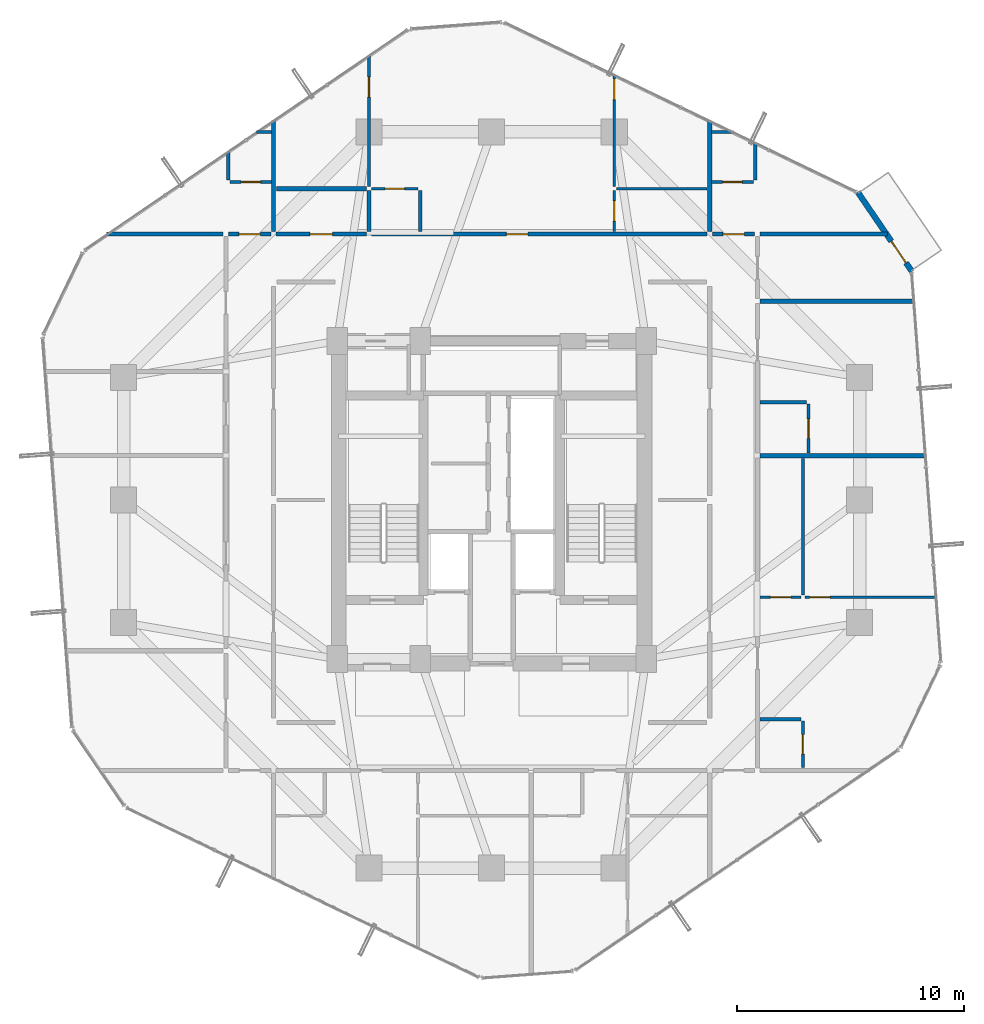
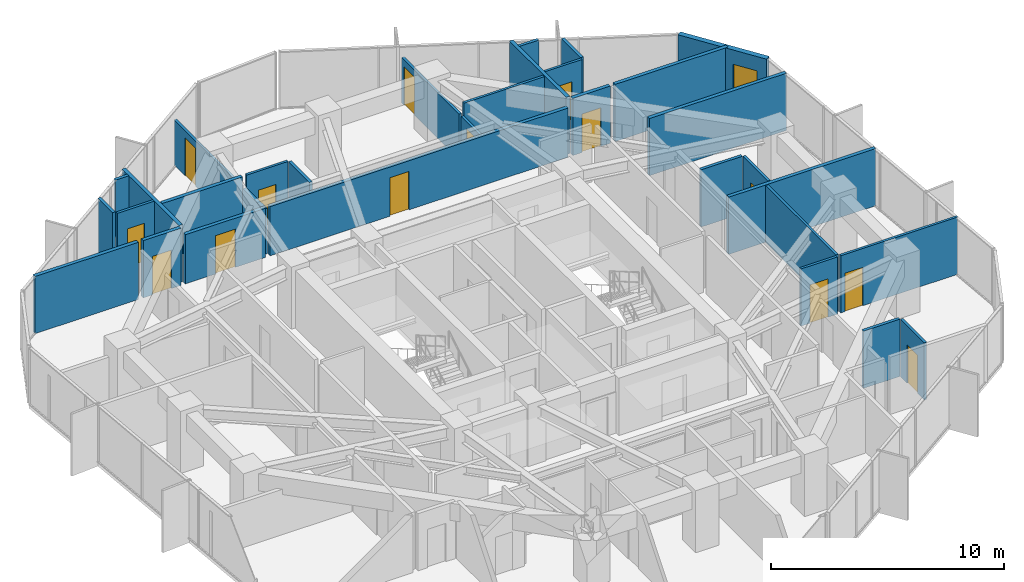
# One storey, part 32 of 35: 32 walls, 15 doors, 15 openings.
"""IFC4 building model written with IfcOpenShell, lengths in metres."""

from ifc_helpers import new_model, si_unit, direction, frame, frame_2d, origin, place, context, subcontext, project, spatial, rectangle, extrude, source, transform, mapped, material, layer, layer_set, type_object, element, fill, save


model = new_model("IFC4")

# Units and contexts
model_context = context("Model", 3, precision=1e-05, world=origin(), true_north=direction((0.0, 1.0)))
body_context = subcontext(model_context, "Body", "Model", "MODEL_VIEW")
ifc_project = project(units=[si_unit("LENGTHUNIT", "METRE"), si_unit("AREAUNIT", "SQUARE_METRE"), si_unit("VOLUMEUNIT", "CUBIC_METRE"), si_unit("PLANEANGLEUNIT", "RADIAN"), si_unit("MASSUNIT", "GRAM", prefix="KILO")], contexts=[model_context])

# Site, building, storey
site_placement = place(None, origin())
site = spatial("IfcSite", under=ifc_project, at=site_placement, CompositionType="ELEMENT")
building_placement = place(site_placement, origin())
building = spatial("IfcBuilding", under=site, at=building_placement, Name="Veraguas Prism Commons", CompositionType="ELEMENT")
storey_placement = place(building_placement, frame((0.0, 0.0, 142.5)))
storey = spatial("IfcBuildingStorey", under=building, at=storey_placement, Name="L40", CompositionType="ELEMENT", Elevation=142.5)

# Walls
ifc_material_1 = material(Name="Autoclaved aerated masonry block 10 MPa", Category="masonry")
ifc_layer_1 = layer(ifc_material_1, 0.179931640625, Name="Corridor and Inter-Tenancy Partition 180", Category="masonry")
ifc_layer_set_1 = layer_set([ifc_layer_1], Name="Autoclaved aerated masonry block 10 MPa")
wall_type_1 = type_object("IfcWallType", Name="Corridor and Inter-Tenancy Partition 180", PredefinedType="PARTITIONING", material=ifc_layer_set_1)
wall_1_placement = place(storey_placement, frame((14.39990234375, 35.820068359375, 0.0), z_axis=(0.0, 0.0, 1.0), x_axis=(0.0, 1.0, 0.0)))
element("IfcWall", 1, at=wall_1_placement, inside=storey, type_object=wall_type_1, Name="WL-L40-PT016", PredefinedType="PARTITIONING", context=body_context, shape_type="SweptSolid", body=[
    extrude(rectangle(XDim=4.88818359375, YDim=0.179931640625, at=frame_2d((2.444091796875, 0.0))), origin(), (0.0, 0.0, 1.0), 3.0),
])
wall_2_placement = place(storey_placement, frame((33.60009765625, 35.820068359375, 0.0), z_axis=(0.0, 0.0, 1.0), x_axis=(0.0, 1.0, 0.0)))
element("IfcWall", 2, at=wall_2_placement, inside=storey, type_object=wall_type_1, Name="WL-L40-PT017", PredefinedType="PARTITIONING", context=body_context, shape_type="SweptSolid", body=[
    extrude(rectangle(XDim=4.88134765625, YDim=0.179931640625, at=frame_2d((2.440673828125, 0.0))), origin(), (0.0, 0.0, 1.0), 3.0),
])

# Wall, opening, door
wall_3_placement = place(storey_placement, frame((14.510009765625, 35.699951171875, 0.0), z_axis=(0.0, 0.0, 1.0), x_axis=(1.0, 0.0, 0.0)))
wall_3 = element("IfcWall", 3, at=wall_3_placement, inside=storey, type_object=wall_type_1, Name="WL-L40-PT018", PredefinedType="PARTITIONING", context=body_context, shape_type="SweptSolid", body=[
    extrude(rectangle(XDim=3.97998046875, YDim=0.179931640625, at=frame_2d((1.989990234375, 0.0))), origin(), (0.0, 0.0, 1.0), 2.580078125),
])
opening_1_placement = place(wall_3_placement, frame((1.489990234375, 0.0, 0.0)))
opening_1 = element("IfcOpeningElement", 4, at=opening_1_placement, cuts=wall_3, Name="Opening DR-13", PredefinedType="OPENING", context=body_context, shape_type="SweptSolid", body=[
    extrude(rectangle(XDim=1.0, YDim=2.010009765625, at=frame_2d((0.5, 1.0048828125))), frame((0.0, 0.099853515625, 0.0), z_axis=(0.0, -1.0, 0.0), x_axis=(1.0, 0.0, 0.0)), (0.0, 0.0, 1.0), 0.199951171875),
])
ifc_material_2 = material(Name="Steel fire-rated door assembly", Category="steel")
door_type_1 = type_object("IfcDoorType", Name="Core Accessible WC and Clinic Fire Door 1000x2010", OperationType="NOTDEFINED", PredefinedType="DOOR", material=ifc_material_2)
shared_shape_1 = source(origin(), body_context, "Body", "SweptSolid", [
    extrude(rectangle(XDim=1.0, YDim=2.010009765625, at=frame_2d((0.5, 1.0048828125))), frame((0.0, 0.02490234375, 0.0), z_axis=(0.0, -1.0, 0.0), x_axis=(1.0, 0.0, 0.0)), (0.0, 0.0, 1.0), 0.050048828125),
])
door_1_placement = place(opening_1_placement, origin())
door_1 = element("IfcDoor", 5, at=door_1_placement, inside=storey, type_object=door_type_1, Name="Residents Study Alcove 40C Door", OperationType="SINGLE_SWING_RIGHT", OverallHeight=2.010009765625, OverallWidth=1.0, PredefinedType="DOOR", context=body_context, shape_type="MappedRepresentation", body=[
    mapped(shared_shape_1, transform((0.0, 0.0, 0.0), scale=1.0)),
])
fill(opening_1, door_1)

wall_4_placement = place(storey_placement, frame((18.7099609375, 35.699951171875, 0.0), z_axis=(0.0, 0.0, 1.0), x_axis=(1.0, 0.0, 0.0)))
wall_4 = element("IfcWall", 6, at=wall_4_placement, inside=storey, type_object=wall_type_1, Name="WL-L40-PT019", PredefinedType="PARTITIONING", context=body_context, shape_type="SweptSolid", body=[
    extrude(rectangle(XDim=14.780029296875, YDim=0.179931640625, at=frame_2d((7.39013671875, 0.0))), origin(), (0.0, 0.0, 1.0), 2.580078125),
])
opening_2_placement = place(wall_4_placement, frame((5.93994140625, 0.0, 0.0)))
opening_2 = element("IfcOpeningElement", 7, at=opening_2_placement, cuts=wall_4, Name="Opening DR-01", PredefinedType="OPENING", context=body_context, shape_type="SweptSolid", body=[
    extrude(rectangle(XDim=0.949951171875, YDim=2.02001953125, at=frame_2d((0.47509765625, 1.010009765625))), frame((0.0, 0.099853515625, 0.0), z_axis=(0.0, -1.0, 0.0), x_axis=(1.0, 0.0, 0.0)), (0.0, 0.0, 1.0), 0.199951171875),
])
ifc_material_3 = material(Name="Anodised aluminium EN AW-6063 T6", Category="aluminium")
door_type_2 = type_object("IfcDoorType", Name="Apartment Entrance Fire Door 950x2020", OperationType="NOTDEFINED", PredefinedType="DOOR", material=ifc_material_3)
shared_shape_2 = source(origin(), body_context, "Body", "SweptSolid", [
    extrude(rectangle(XDim=0.949951171875, YDim=2.02001953125, at=frame_2d((0.47509765625, 1.010009765625))), frame((0.0, 0.02490234375, 0.0), z_axis=(0.0, -1.0, 0.0), x_axis=(1.0, 0.0, 0.0)), (0.0, 0.0, 1.0), 0.050048828125),
])
door_2_placement = place(opening_2_placement, origin())
door_2 = element("IfcDoor", 8, at=door_2_placement, inside=storey, type_object=door_type_2, Name="Flat 40C Entrance Door", OperationType="SINGLE_SWING_LEFT", OverallHeight=2.02001953125, OverallWidth=0.949951171875, PredefinedType="DOOR", context=body_context, shape_type="MappedRepresentation", body=[
    mapped(shared_shape_2, transform((0.0, 0.0, 0.0), scale=1.0)),
])
fill(opening_2, door_2)

# Walls
wall_5_placement = place(storey_placement, frame((14.52001953125, 37.699951171875, 0.0), z_axis=(0.0, 0.0, 1.0), x_axis=(1.0, 0.0, 0.0)))
element("IfcWall", 9, at=wall_5_placement, inside=storey, type_object=wall_type_1, Name="WL-L40-PT020", PredefinedType="PARTITIONING", context=body_context, shape_type="SweptSolid", body=[
    extrude(rectangle(XDim=3.97998046875, YDim=0.179931640625, at=frame_2d((1.989990234375, 0.0))), origin(), (0.0, 0.0, 1.0), 3.0),
])
wall_6_placement = place(storey_placement, frame((18.60009765625, 35.820068359375, 0.0), z_axis=(0.0, 0.0, 1.0), x_axis=(0.0, 1.0, 0.0)))
element("IfcWall", 10, at=wall_6_placement, inside=storey, type_object=wall_type_1, Name="WL-L40-PT021", PredefinedType="PARTITIONING", context=body_context, shape_type="SweptSolid", body=[
    extrude(rectangle(XDim=1.800048828125, YDim=0.179931640625, at=frame_2d((0.89990234375, 0.0))), origin(), (0.0, 0.0, 1.0), 2.3779296875),
])
wall_7_placement = place(storey_placement, frame((12.179931640625, 35.699951171875, 0.0), z_axis=(0.0, 0.0, 1.0), x_axis=(-1.0, 0.0, 0.0)))
element("IfcWall", 11, at=wall_7_placement, inside=storey, type_object=wall_type_1, Name="WL-L40-PT029", PredefinedType="PARTITIONING", context=body_context, shape_type="SweptSolid", body=[
    extrude(rectangle(XDim=5.12158203125, YDim=0.179931640625, at=frame_2d((2.560791015625, 0.0))), origin(), (0.0, 0.0, 1.0), 3.0),
])
wall_8_placement = place(storey_placement, frame((35.820068359375, 35.699951171875, 0.0), z_axis=(0.0, 0.0, 1.0), x_axis=(1.0, 0.0, 0.0)))
element("IfcWall", 12, at=wall_8_placement, inside=storey, type_object=wall_type_1, Name="WL-L40-PT038", PredefinedType="PARTITIONING", context=body_context, shape_type="SweptSolid", body=[
    extrude(rectangle(XDim=5.596435546875, YDim=0.179931640625, at=frame_2d((2.79833984375, 0.0))), origin(), (0.0, 0.0, 1.0), 3.0),
])
wall_9_placement = place(storey_placement, frame((35.820068359375, 25.947998046875, 0.0), z_axis=(0.0, 0.0, 1.0), x_axis=(1.0, 0.0, 0.0)))
element("IfcWall", 13, at=wall_9_placement, inside=storey, type_object=wall_type_1, Name="WL-L40-PT045", PredefinedType="PARTITIONING", context=body_context, shape_type="SweptSolid", body=[
    extrude(rectangle(XDim=7.30029296875, YDim=0.179931640625, at=frame_2d((3.650146484375, 0.0))), origin(), (0.0, 0.0, 1.0), 3.0),
])
wall_10_placement = place(storey_placement, frame((35.820068359375, 32.75, 0.0), z_axis=(0.0, 0.0, 1.0), x_axis=(1.0, 0.0, 0.0)))
element("IfcWall", 14, at=wall_10_placement, inside=storey, type_object=wall_type_1, Name="WL-L40-PT047", PredefinedType="PARTITIONING", context=body_context, shape_type="SweptSolid", body=[
    extrude(rectangle(XDim=6.788818359375, YDim=0.179931640625, at=frame_2d((3.39453125, 0.0))), origin(), (0.0, 0.0, 1.0), 3.0),
])

# Wall, opening, door
wall_11_placement = place(storey_placement, frame((12.419921875, 35.699951171875, 0.0), z_axis=(0.0, 0.0, 1.0), x_axis=(1.0, 0.0, 0.0)))
wall_11 = element("IfcWall", 15, at=wall_11_placement, inside=storey, type_object=wall_type_1, Name="WL-L40-PT053", PredefinedType="PARTITIONING", context=body_context, shape_type="SweptSolid", body=[
    extrude(rectangle(XDim=1.860107421875, YDim=0.179931640625, at=frame_2d((0.93017578125, 0.0))), origin(), (0.0, 0.0, 1.0), 3.0),
])
opening_3_placement = place(wall_11_placement, frame((0.455078125, 0.0, 0.0)))
opening_3 = element("IfcOpeningElement", 16, at=opening_3_placement, cuts=wall_11, Name="Opening DR-01", PredefinedType="OPENING", context=body_context, shape_type="SweptSolid", body=[
    extrude(rectangle(XDim=0.949951171875, YDim=2.02001953125, at=frame_2d((0.47509765625, 1.010009765625))), frame((0.0, 0.099853515625, 0.0), z_axis=(0.0, -1.0, 0.0), x_axis=(1.0, 0.0, 0.0)), (0.0, 0.0, 1.0), 0.199951171875),
])
door_3_placement = place(opening_3_placement, origin())
door_3 = element("IfcDoor", 17, at=door_3_placement, inside=storey, type_object=door_type_2, Name="Studio 40F Entrance Door", OperationType="SINGLE_SWING_LEFT", OverallHeight=2.02001953125, OverallWidth=0.949951171875, PredefinedType="DOOR", context=body_context, shape_type="MappedRepresentation", body=[
    mapped(shared_shape_2, transform((0.0, 0.0, 0.0), scale=1.0)),
])
fill(opening_3, door_3)

wall_12_placement = place(storey_placement, frame((33.719970703125, 35.699951171875, 0.0), z_axis=(0.0, 0.0, 1.0), x_axis=(1.0, 0.0, 0.0)))
wall_12 = element("IfcWall", 18, at=wall_12_placement, inside=storey, type_object=wall_type_1, Name="WL-L40-PT057", PredefinedType="PARTITIONING", context=body_context, shape_type="SweptSolid", body=[
    extrude(rectangle(XDim=1.860107421875, YDim=0.179931640625, at=frame_2d((0.93017578125, 0.0))), origin(), (0.0, 0.0, 1.0), 3.0),
])
opening_4_placement = place(wall_12_placement, frame((0.455078125, 0.0, 0.0)))
opening_4 = element("IfcOpeningElement", 19, at=opening_4_placement, cuts=wall_12, Name="Opening DR-01", PredefinedType="OPENING", context=body_context, shape_type="SweptSolid", body=[
    extrude(rectangle(XDim=0.949951171875, YDim=2.02001953125, at=frame_2d((0.47509765625, 1.010009765625))), frame((0.0, 0.099853515625, 0.0), z_axis=(0.0, -1.0, 0.0), x_axis=(1.0, 0.0, 0.0)), (0.0, 0.0, 1.0), 0.199951171875),
])
door_4_placement = place(opening_4_placement, origin())
door_4 = element("IfcDoor", 20, at=door_4_placement, inside=storey, type_object=door_type_2, Name="Studio 40G Entrance Door", OperationType="SINGLE_SWING_LEFT", OverallHeight=2.02001953125, OverallWidth=0.949951171875, PredefinedType="DOOR", context=body_context, shape_type="MappedRepresentation", body=[
    mapped(shared_shape_2, transform((0.0, 0.0, 0.0), scale=1.0)),
])
fill(opening_4, door_4)

ifc_material_4 = material(Name="Precast concrete C40/50", Category="concrete")
ifc_layer_2 = layer(ifc_material_4, 0.25, Name="External Loggia and Portal Wall 250", Category="concrete")
ifc_layer_set_2 = layer_set([ifc_layer_2], Name="Precast concrete C40/50")
wall_type_2 = type_object("IfcWallType", Name="External Loggia and Portal Wall 250", PredefinedType="SOLIDWALL", material=ifc_layer_set_2)
wall_13_placement = place(storey_placement, frame((42.50048828125, 34.05810546875, 0.0), z_axis=(0.0, 0.0, 1.0), x_axis=(-0.563546195047, 0.826084551392, 0.0)))
wall_13 = element("IfcWall", 21, at=wall_13_placement, inside=storey, type_object=wall_type_2, Name="Corner Loggia Wall L40-C1", PredefinedType="SOLIDWALL", context=body_context, shape_type="SweptSolid", body=[
    extrude(rectangle(XDim=4.23291015625, YDim=0.25, at=frame_2d((2.116455078125, 0.0))), origin(), (0.0, 0.0, 1.0), 3.0),
])
opening_5_placement = place(wall_13_placement, frame((0.4599609375, 0.0, 0.0)))
opening_5 = element("IfcOpeningElement", 22, at=opening_5_placement, cuts=wall_13, Name="Opening DR-10", PredefinedType="OPENING", context=body_context, shape_type="SweptSolid", body=[
    extrude(rectangle(XDim=1.14990234375, YDim=2.25, at=frame_2d((0.574951171875, 1.125))), frame((0.0, 0.135009765625, 0.0), z_axis=(0.0, -1.0, 0.0), x_axis=(1.0, 0.0, 0.0)), (0.0, 0.0, 1.0), 0.27001953125),
])
door_type_3 = type_object("IfcDoorType", Name="Glazed Loggia and Terrace Door 1150x2250", OperationType="NOTDEFINED", PredefinedType="DOOR", material=ifc_material_3)
shared_shape_3 = source(origin(), body_context, "Body", "SweptSolid", [
    extrude(rectangle(XDim=1.14990234375, YDim=2.25, at=frame_2d((0.574951171875, 1.125))), frame((0.0, 0.02490234375, 0.0), z_axis=(0.0, -1.0, 0.0), x_axis=(1.0, 0.0, 0.0)), (0.0, 0.0, 1.0), 0.050048828125),
])
door_5_placement = place(opening_5_placement, frame((1.14990234375, 0.0, 0.0), z_axis=(0.0, 0.0, 1.0), x_axis=(-1.0, 0.0, 0.0)))
door_5 = element("IfcDoor", 23, at=door_5_placement, inside=storey, type_object=door_type_3, Name="Recessed Loggia Door L40-C1", OperationType="SINGLE_SWING_RIGHT", OverallHeight=2.25, OverallWidth=1.14990234375, PredefinedType="DOOR", context=body_context, shape_type="MappedRepresentation", body=[
    mapped(shared_shape_3, transform((0.0, 0.0, 0.0), scale=1.0)),
])
fill(opening_5, door_5)

ifc_material_5 = material(Name="Lightweight acoustic gypsum board")
ifc_layer_3 = layer(ifc_material_5, 0.125, Name="Internal Apartment Room Partition 125")
ifc_layer_set_3 = layer_set([ifc_layer_3], Name="Lightweight acoustic gypsum board")
wall_type_3 = type_object("IfcWallType", Name="Internal Apartment Room Partition 125", PredefinedType="PARTITIONING", material=ifc_layer_set_3)
wall_14_placement = place(storey_placement, frame((18.60009765625, 37.800048828125, 0.0), z_axis=(0.0, 0.0, 1.0), x_axis=(0.0, 1.0, 0.0)))
wall_14 = element("IfcWall", 24, at=wall_14_placement, inside=storey, type_object=wall_type_3, Name="WL-L40-PT022", PredefinedType="PARTITIONING", context=body_context, shape_type="SweptSolid", body=[
    extrude(rectangle(XDim=5.773193359375, YDim=0.125, at=frame_2d((2.88671875, 0.0))), origin(), (0.0, 0.0, 1.0), 2.3779296875),
])
opening_6_placement = place(wall_14_placement, frame((3.927734375, 0.0, 0.0)))
opening_6 = element("IfcOpeningElement", 25, at=opening_6_placement, cuts=wall_14, Name="Opening DR-02", PredefinedType="OPENING", context=body_context, shape_type="SweptSolid", body=[
    extrude(rectangle(XDim=0.89990234375, YDim=2.010009765625, at=frame_2d((0.449951171875, 1.0048828125))), frame((0.0, 0.072509765625, 0.0), z_axis=(0.0, -1.0, 0.0), x_axis=(1.0, 0.0, 0.0)), (0.0, 0.0, 1.0), 0.14501953125),
])
ifc_material_6 = material(Name="Timber solid core hardwood", Category="wood")
door_type_4 = type_object("IfcDoorType", Name="Internal Habitable Room Door 900x2010", OperationType="NOTDEFINED", PredefinedType="DOOR", material=ifc_material_6)
shared_shape_4 = source(origin(), body_context, "Body", "SweptSolid", [
    extrude(rectangle(XDim=0.89990234375, YDim=2.010009765625, at=frame_2d((0.449951171875, 1.0048828125))), frame((0.0, 0.02490234375, 0.0), z_axis=(0.0, -1.0, 0.0), x_axis=(1.0, 0.0, 0.0)), (0.0, 0.0, 1.0), 0.050048828125),
])
door_6_placement = place(opening_6_placement, origin())
door_6 = element("IfcDoor", 26, at=door_6_placement, inside=storey, type_object=door_type_4, Name="Flat 40C Bedroom 2 Door", OperationType="SINGLE_SWING_RIGHT", OverallHeight=2.010009765625, OverallWidth=0.89990234375, PredefinedType="DOOR", context=body_context, shape_type="MappedRepresentation", body=[
    mapped(shared_shape_4, transform((0.0, 0.0, 0.0), scale=1.0)),
])
fill(opening_6, door_6)

wall_15_placement = place(storey_placement, frame((18.719970703125, 37.699951171875, 0.0), z_axis=(0.0, 0.0, 1.0), x_axis=(1.0, 0.0, 0.0)))
wall_15 = element("IfcWall", 27, at=wall_15_placement, inside=storey, type_object=wall_type_3, Name="WL-L40-PT024", PredefinedType="PARTITIONING", context=body_context, shape_type="SweptSolid", body=[
    extrude(rectangle(XDim=2.050048828125, YDim=0.125, at=frame_2d((1.02490234375, 0.0))), origin(), (0.0, 0.0, 1.0), 3.0),
])
opening_7_placement = place(wall_15_placement, frame((0.594970703125, 0.0, 0.0)))
opening_7 = element("IfcOpeningElement", 28, at=opening_7_placement, cuts=wall_15, Name="Opening DR-03", PredefinedType="OPENING", context=body_context, shape_type="SweptSolid", body=[
    extrude(rectangle(XDim=0.860107421875, YDim=2.010009765625, at=frame_2d((0.43017578125, 1.0048828125))), frame((0.0, 0.072509765625, 0.0), z_axis=(0.0, -1.0, 0.0), x_axis=(1.0, 0.0, 0.0)), (0.0, 0.0, 1.0), 0.14501953125),
])
ifc_material_7 = material(Name="Timber moisture-resistant leaf", Category="wood")
door_type_5 = type_object("IfcDoorType", Name="Internal Bathroom Door 860x2010", OperationType="NOTDEFINED", PredefinedType="DOOR", material=ifc_material_7)
shared_shape_5 = source(origin(), body_context, "Body", "SweptSolid", [
    extrude(rectangle(XDim=0.860107421875, YDim=2.010009765625, at=frame_2d((0.43017578125, 1.0048828125))), frame((0.0, 0.02490234375, 0.0), z_axis=(0.0, -1.0, 0.0), x_axis=(1.0, 0.0, 0.0)), (0.0, 0.0, 1.0), 0.050048828125),
])
door_7_placement = place(opening_7_placement, origin())
door_7 = element("IfcDoor", 29, at=door_7_placement, inside=storey, type_object=door_type_5, Name="Flat 40C Bathroom Door", OperationType="SINGLE_SWING_LEFT", OverallHeight=2.010009765625, OverallWidth=0.860107421875, PredefinedType="DOOR", context=body_context, shape_type="MappedRepresentation", body=[
    mapped(shared_shape_5, transform((0.0, 0.0, 0.0), scale=1.0)),
])
fill(opening_7, door_7)

wall_16_placement = place(storey_placement, frame((29.39990234375, 35.820068359375, 0.0), z_axis=(0.0, 0.0, 1.0), x_axis=(0.0, 1.0, 0.0)))
wall_16 = element("IfcWall", 30, at=wall_16_placement, inside=storey, type_object=wall_type_3, Name="WL-L40-PT025", PredefinedType="PARTITIONING", context=body_context, shape_type="SweptSolid", body=[
    extrude(rectangle(XDim=1.800048828125, YDim=0.125, at=frame_2d((0.89990234375, 0.0))), origin(), (0.0, 0.0, 1.0), 2.3779296875),
])
opening_8_placement = place(wall_16_placement, frame((0.449951171875, 0.0, 0.0)))
opening_8 = element("IfcOpeningElement", 31, at=opening_8_placement, cuts=wall_16, Name="Opening DR-02", PredefinedType="OPENING", context=body_context, shape_type="SweptSolid", body=[
    extrude(rectangle(XDim=0.89990234375, YDim=2.010009765625, at=frame_2d((0.449951171875, 1.0048828125))), frame((0.0, 0.072509765625, 0.0), z_axis=(0.0, -1.0, 0.0), x_axis=(1.0, 0.0, 0.0)), (0.0, 0.0, 1.0), 0.14501953125),
])
door_8_placement = place(opening_8_placement, origin())
door_8 = element("IfcDoor", 32, at=door_8_placement, inside=storey, type_object=door_type_4, Name="Flat 40C Kitchen Door", OperationType="SINGLE_SWING_RIGHT", OverallHeight=2.010009765625, OverallWidth=0.89990234375, PredefinedType="DOOR", context=body_context, shape_type="MappedRepresentation", body=[
    mapped(shared_shape_4, transform((0.0, 0.0, 0.0), scale=1.0)),
])
fill(opening_8, door_8)

# Wall
wall_17_placement = place(storey_placement, frame((29.5, 37.699951171875, 0.0), z_axis=(0.0, 0.0, 1.0), x_axis=(1.0, 0.0, 0.0)))
element("IfcWall", 33, at=wall_17_placement, inside=storey, type_object=wall_type_3, Name="WL-L40-PT026", PredefinedType="PARTITIONING", context=body_context, shape_type="SweptSolid", body=[
    extrude(rectangle(XDim=3.97998046875, YDim=0.125, at=frame_2d((1.989990234375, 0.0))), origin(), (0.0, 0.0, 1.0), 3.0),
])

# Wall, opening, door
wall_18_placement = place(storey_placement, frame((29.39990234375, 37.800048828125, 0.0), z_axis=(0.0, 0.0, 1.0), x_axis=(0.0, 1.0, 0.0)))
wall_18 = element("IfcWall", 34, at=wall_18_placement, inside=storey, type_object=wall_type_3, Name="WL-L40-PT027", PredefinedType="PARTITIONING", context=body_context, shape_type="SweptSolid", body=[
    extrude(rectangle(XDim=4.9228515625, YDim=0.125, at=frame_2d((2.46142578125, 0.0))), origin(), (0.0, 0.0, 1.0), 2.3779296875),
])
opening_9_placement = place(wall_18_placement, frame((3.82275390625, 0.0, 0.0)))
opening_9 = element("IfcOpeningElement", 35, at=opening_9_placement, cuts=wall_18, Name="Opening DR-02", PredefinedType="OPENING", context=body_context, shape_type="SweptSolid", body=[
    extrude(rectangle(XDim=0.89990234375, YDim=2.010009765625, at=frame_2d((0.449951171875, 1.0048828125))), frame((0.0, 0.072509765625, 0.0), z_axis=(0.0, -1.0, 0.0), x_axis=(1.0, 0.0, 0.0)), (0.0, 0.0, 1.0), 0.14501953125),
])
door_9_placement = place(opening_9_placement, origin())
door_9 = element("IfcDoor", 36, at=door_9_placement, inside=storey, type_object=door_type_4, Name="Flat 40C Bedroom 1 Door", OperationType="SINGLE_SWING_LEFT", OverallHeight=2.010009765625, OverallWidth=0.89990234375, PredefinedType="DOOR", context=body_context, shape_type="MappedRepresentation", body=[
    mapped(shared_shape_4, transform((0.0, 0.0, 0.0), scale=1.0)),
])
fill(opening_9, door_9)

wall_19_placement = place(storey_placement, frame((37.699951171875, 12.219970703125, 0.0), z_axis=(0.0, 0.0, 1.0), x_axis=(0.0, 1.0, 0.0)))
wall_19 = element("IfcWall", 37, at=wall_19_placement, inside=storey, type_object=wall_type_3, Name="WL-L40-PT041", PredefinedType="PARTITIONING", context=body_context, shape_type="SweptSolid", body=[
    extrude(rectangle(XDim=2.050048828125, YDim=0.125, at=frame_2d((1.02490234375, 0.0))), origin(), (0.0, 0.0, 1.0), 3.0),
])
opening_10_placement = place(wall_19_placement, frame((0.594970703125, 0.0, 0.0)))
opening_10 = element("IfcOpeningElement", 38, at=opening_10_placement, cuts=wall_19, Name="Opening DR-03", PredefinedType="OPENING", context=body_context, shape_type="SweptSolid", body=[
    extrude(rectangle(XDim=0.860107421875, YDim=2.010009765625, at=frame_2d((0.43017578125, 1.0048828125))), frame((0.0, 0.072509765625, 0.0), z_axis=(0.0, -1.0, 0.0), x_axis=(1.0, 0.0, 0.0)), (0.0, 0.0, 1.0), 0.14501953125),
])
door_10_placement = place(opening_10_placement, origin())
door_10 = element("IfcDoor", 39, at=door_10_placement, inside=storey, type_object=door_type_5, Name="Flat 40D Bathroom Door", OperationType="SINGLE_SWING_LEFT", OverallHeight=2.010009765625, OverallWidth=0.860107421875, PredefinedType="DOOR", context=body_context, shape_type="MappedRepresentation", body=[
    mapped(shared_shape_5, transform((0.0, 0.0, 0.0), scale=1.0)),
])
fill(opening_10, door_10)

wall_20_placement = place(storey_placement, frame((35.820068359375, 19.716064453125, 0.0), z_axis=(0.0, 0.0, 1.0), x_axis=(1.0, 0.0, 0.0)))
wall_20 = element("IfcWall", 40, at=wall_20_placement, inside=storey, type_object=wall_type_3, Name="WL-L40-PT042", PredefinedType="PARTITIONING", context=body_context, shape_type="SweptSolid", body=[
    extrude(rectangle(XDim=1.800048828125, YDim=0.125, at=frame_2d((0.89990234375, 0.0))), origin(), (0.0, 0.0, 1.0), 3.0),
])
opening_11_placement = place(wall_20_placement, frame((0.449951171875, 0.0, 0.0)))
opening_11 = element("IfcOpeningElement", 41, at=opening_11_placement, cuts=wall_20, Name="Opening DR-02", PredefinedType="OPENING", context=body_context, shape_type="SweptSolid", body=[
    extrude(rectangle(XDim=0.89990234375, YDim=2.010009765625, at=frame_2d((0.449951171875, 1.0048828125))), frame((0.0, 0.072509765625, 0.0), z_axis=(0.0, -1.0, 0.0), x_axis=(1.0, 0.0, 0.0)), (0.0, 0.0, 1.0), 0.14501953125),
])
door_11_placement = place(opening_11_placement, origin())
door_11 = element("IfcDoor", 42, at=door_11_placement, inside=storey, type_object=door_type_4, Name="Flat 40D Kitchen Door", OperationType="SINGLE_SWING_RIGHT", OverallHeight=2.010009765625, OverallWidth=0.89990234375, PredefinedType="DOOR", context=body_context, shape_type="MappedRepresentation", body=[
    mapped(shared_shape_4, transform((0.0, 0.0, 0.0), scale=1.0)),
])
fill(opening_11, door_11)

# Wall
wall_21_placement = place(storey_placement, frame((37.699951171875, 19.81591796875, 0.0), z_axis=(0.0, 0.0, 1.0), x_axis=(0.0, 1.0, 0.0)))
element("IfcWall", 43, at=wall_21_placement, inside=storey, type_object=wall_type_3, Name="WL-L40-PT043", PredefinedType="PARTITIONING", context=body_context, shape_type="SweptSolid", body=[
    extrude(rectangle(XDim=6.011962890625, YDim=0.125, at=frame_2d((3.005859375, 0.0))), origin(), (0.0, 0.0, 1.0), 3.0),
])

# Wall, opening, door
wall_22_placement = place(storey_placement, frame((37.800048828125, 19.716064453125, 0.0), z_axis=(0.0, 0.0, 1.0), x_axis=(1.0, 0.0, 0.0)))
wall_22 = element("IfcWall", 44, at=wall_22_placement, inside=storey, type_object=wall_type_3, Name="WL-L40-PT044", PredefinedType="PARTITIONING", context=body_context, shape_type="SweptSolid", body=[
    extrude(rectangle(XDim=5.788818359375, YDim=0.125, at=frame_2d((2.89453125, 0.0))), origin(), (0.0, 0.0, 1.0), 3.0),
])
opening_12_placement = place(wall_22_placement, frame((0.199951171875, 0.0, 0.0)))
opening_12 = element("IfcOpeningElement", 45, at=opening_12_placement, cuts=wall_22, Name="Opening DR-02", PredefinedType="OPENING", context=body_context, shape_type="SweptSolid", body=[
    extrude(rectangle(XDim=0.89990234375, YDim=2.010009765625, at=frame_2d((0.449951171875, 1.0048828125))), frame((0.0, 0.072509765625, 0.0), z_axis=(0.0, -1.0, 0.0), x_axis=(1.0, 0.0, 0.0)), (0.0, 0.0, 1.0), 0.14501953125),
])
door_12_placement = place(opening_12_placement, origin())
door_12 = element("IfcDoor", 46, at=door_12_placement, inside=storey, type_object=door_type_4, Name="Flat 40D Bedroom 1 Door", OperationType="SINGLE_SWING_LEFT", OverallHeight=2.010009765625, OverallWidth=0.89990234375, PredefinedType="DOOR", context=body_context, shape_type="MappedRepresentation", body=[
    mapped(shared_shape_4, transform((0.0, 0.0, 0.0), scale=1.0)),
])
fill(opening_12, door_12)

wall_23_placement = place(storey_placement, frame((37.949951171875, 26.068115234375, 0.0), z_axis=(0.0, 0.0, 1.0), x_axis=(0.0, 1.0, 0.0)))
wall_23 = element("IfcWall", 47, at=wall_23_placement, inside=storey, type_object=wall_type_3, Name="WL-L40-PT050", PredefinedType="PARTITIONING", context=body_context, shape_type="SweptSolid", body=[
    extrude(rectangle(XDim=2.14990234375, YDim=0.125, at=frame_2d((1.074951171875, 0.0))), origin(), (0.0, 0.0, 1.0), 3.0),
])
opening_13_placement = place(wall_23_placement, frame((0.64501953125, 0.0, 0.0)))
opening_13 = element("IfcOpeningElement", 48, at=opening_13_placement, cuts=wall_23, Name="Opening DR-03", PredefinedType="OPENING", context=body_context, shape_type="SweptSolid", body=[
    extrude(rectangle(XDim=0.860107421875, YDim=2.010009765625, at=frame_2d((0.43017578125, 1.0048828125))), frame((0.0, 0.072509765625, 0.0), z_axis=(0.0, -1.0, 0.0), x_axis=(1.0, 0.0, 0.0)), (0.0, 0.0, 1.0), 0.14501953125),
])
door_13_placement = place(opening_13_placement, origin())
door_13 = element("IfcDoor", 49, at=door_13_placement, inside=storey, type_object=door_type_5, Name="Studio 40E Bathroom Door", OperationType="SINGLE_SWING_RIGHT", OverallHeight=2.010009765625, OverallWidth=0.860107421875, PredefinedType="DOOR", context=body_context, shape_type="MappedRepresentation", body=[
    mapped(shared_shape_5, transform((0.0, 0.0, 0.0), scale=1.0)),
])
fill(opening_13, door_13)

wall_24_placement = place(storey_placement, frame((12.47998046875, 38.0, 0.0), z_axis=(0.0, 0.0, 1.0), x_axis=(1.0, 0.0, 0.0)))
wall_24 = element("IfcWall", 50, at=wall_24_placement, inside=storey, type_object=wall_type_3, Name="WL-L40-PT054", PredefinedType="PARTITIONING", context=body_context, shape_type="SweptSolid", body=[
    extrude(rectangle(XDim=1.840087890625, YDim=0.125, at=frame_2d((0.919921875, 0.0))), origin(), (0.0, 0.0, 1.0), 3.0),
])
opening_14_placement = place(wall_24_placement, frame((0.489990234375, 0.0, 0.0)))
opening_14 = element("IfcOpeningElement", 51, at=opening_14_placement, cuts=wall_24, Name="Opening DR-03", PredefinedType="OPENING", context=body_context, shape_type="SweptSolid", body=[
    extrude(rectangle(XDim=0.860107421875, YDim=2.010009765625, at=frame_2d((0.43017578125, 1.0048828125))), frame((0.0, 0.072509765625, 0.0), z_axis=(0.0, -1.0, 0.0), x_axis=(1.0, 0.0, 0.0)), (0.0, 0.0, 1.0), 0.14501953125),
])
door_14_placement = place(opening_14_placement, origin())
door_14 = element("IfcDoor", 52, at=door_14_placement, inside=storey, type_object=door_type_5, Name="Studio 40F Bathroom Door", OperationType="SINGLE_SWING_RIGHT", OverallHeight=2.010009765625, OverallWidth=0.860107421875, PredefinedType="DOOR", context=body_context, shape_type="MappedRepresentation", body=[
    mapped(shared_shape_5, transform((0.0, 0.0, 0.0), scale=1.0)),
])
fill(opening_14, door_14)

wall_25_placement = place(storey_placement, frame((33.679931640625, 38.0, 0.0), z_axis=(0.0, 0.0, 1.0), x_axis=(1.0, 0.0, 0.0)))
wall_25 = element("IfcWall", 53, at=wall_25_placement, inside=storey, type_object=wall_type_3, Name="WL-L40-PT058", PredefinedType="PARTITIONING", context=body_context, shape_type="SweptSolid", body=[
    extrude(rectangle(XDim=1.840087890625, YDim=0.125, at=frame_2d((0.919921875, 0.0))), origin(), (0.0, 0.0, 1.0), 3.0),
])
opening_15_placement = place(wall_25_placement, frame((0.489990234375, 0.0, 0.0)))
opening_15 = element("IfcOpeningElement", 54, at=opening_15_placement, cuts=wall_25, Name="Opening DR-03", PredefinedType="OPENING", context=body_context, shape_type="SweptSolid", body=[
    extrude(rectangle(XDim=0.860107421875, YDim=2.010009765625, at=frame_2d((0.43017578125, 1.0048828125))), frame((0.0, 0.072509765625, 0.0), z_axis=(0.0, -1.0, 0.0), x_axis=(1.0, 0.0, 0.0)), (0.0, 0.0, 1.0), 0.14501953125),
])
door_15_placement = place(opening_15_placement, origin())
door_15 = element("IfcDoor", 55, at=door_15_placement, inside=storey, type_object=door_type_5, Name="Studio 40G Bathroom Door", OperationType="SINGLE_SWING_RIGHT", OverallHeight=2.010009765625, OverallWidth=0.860107421875, PredefinedType="DOOR", context=body_context, shape_type="MappedRepresentation", body=[
    mapped(shared_shape_5, transform((0.0, 0.0, 0.0), scale=1.0)),
])
fill(opening_15, door_15)

# Walls
ifc_layer_4 = layer(ifc_material_5, 0.14990234375, Name="Wet Room and Clinic Acoustic Partition 150")
ifc_layer_set_4 = layer_set([ifc_layer_4], Name="Lightweight acoustic gypsum board")
wall_type_4 = type_object("IfcWallType", Name="Wet Room and Clinic Acoustic Partition 150", PredefinedType="PARTITIONING", material=ifc_layer_set_4)
for number, where, z_axis, x_axis, name in (
    (56, (20.85009765625, 35.820068359375, 0.0), (0.0, 0.0, 1.0), (0.0, 1.0, 0.0), "WL-L40-PT023"),
    (57, (35.820068359375, 14.35009765625, 0.0), (0.0, 0.0, 1.0), (1.0, 0.0, 0.0), "WL-L40-PT040"),
):
    element("IfcWall", number, at=place(storey_placement, frame(where, z_axis=z_axis, x_axis=x_axis)), inside=storey, type_object=wall_type_4, Name=name, PredefinedType="PARTITIONING", context=body_context, shape_type="SweptSolid", body=[
        extrude(rectangle(XDim=1.800048828125, YDim=0.14990234375, at=frame_2d((0.89990234375, 0.0))), origin(), (0.0, 0.0, 1.0), 3.0),
    ])
wall_26_placement = place(storey_placement, frame((35.820068359375, 28.298095703125, 0.0), z_axis=(0.0, 0.0, 1.0), x_axis=(1.0, 0.0, 0.0)))
element("IfcWall", 58, at=wall_26_placement, inside=storey, type_object=wall_type_4, Name="WL-L40-PT049", PredefinedType="PARTITIONING", context=body_context, shape_type="SweptSolid", body=[
    extrude(rectangle(XDim=2.050048828125, YDim=0.14990234375, at=frame_2d((1.02490234375, 0.0))), origin(), (0.0, 0.0, 1.0), 3.0),
])
wall_27_placement = place(storey_placement, frame((13.655029296875, 40.199951171875, 0.0), z_axis=(0.0, 0.0, 1.0), x_axis=(1.0, 0.0, 0.0)))
element("IfcWall", 59, at=wall_27_placement, inside=storey, type_object=wall_type_4, Name="WL-L40-PT055", PredefinedType="PARTITIONING", context=body_context, shape_type="SweptSolid", body=[
    extrude(rectangle(XDim=0.6650390625, YDim=0.14990234375, at=frame_2d((0.33251953125, 0.0))), origin(), (0.0, 0.0, 1.0), 3.0),
])
wall_28_placement = place(storey_placement, frame((12.39990234375, 38.080078125, 0.0), z_axis=(0.0, 0.0, 1.0), x_axis=(0.0, 1.0, 0.0)))
element("IfcWall", 60, at=wall_28_placement, inside=storey, type_object=wall_type_4, Name="WL-L40-PT056", PredefinedType="PARTITIONING", context=body_context, shape_type="SweptSolid", body=[
    extrude(rectangle(XDim=1.263916015625, YDim=0.14990234375, at=frame_2d((0.6318359375, 0.0))), origin(), (0.0, 0.0, 1.0), 3.0),
])
wall_29_placement = place(storey_placement, frame((33.679931640625, 40.199951171875, 0.0), z_axis=(0.0, 0.0, 1.0), x_axis=(1.0, 0.0, 0.0)))
element("IfcWall", 61, at=wall_29_placement, inside=storey, type_object=wall_type_4, Name="WL-L40-PT059", PredefinedType="PARTITIONING", context=body_context, shape_type="SweptSolid", body=[
    extrude(rectangle(XDim=0.962158203125, YDim=0.14990234375, at=frame_2d((0.48095703125, 0.0))), origin(), (0.0, 0.0, 1.0), 3.0),
])
wall_30_placement = place(storey_placement, frame((35.60009765625, 38.080078125, 0.0), z_axis=(0.0, 0.0, 1.0), x_axis=(0.0, 1.0, 0.0)))
element("IfcWall", 62, at=wall_30_placement, inside=storey, type_object=wall_type_4, Name="WL-L40-PT060", PredefinedType="PARTITIONING", context=body_context, shape_type="SweptSolid", body=[
    extrude(rectangle(XDim=1.658935546875, YDim=0.14990234375, at=frame_2d((0.82958984375, 0.0))), origin(), (0.0, 0.0, 1.0), 3.0),
])

save(model, "model.ifc")
